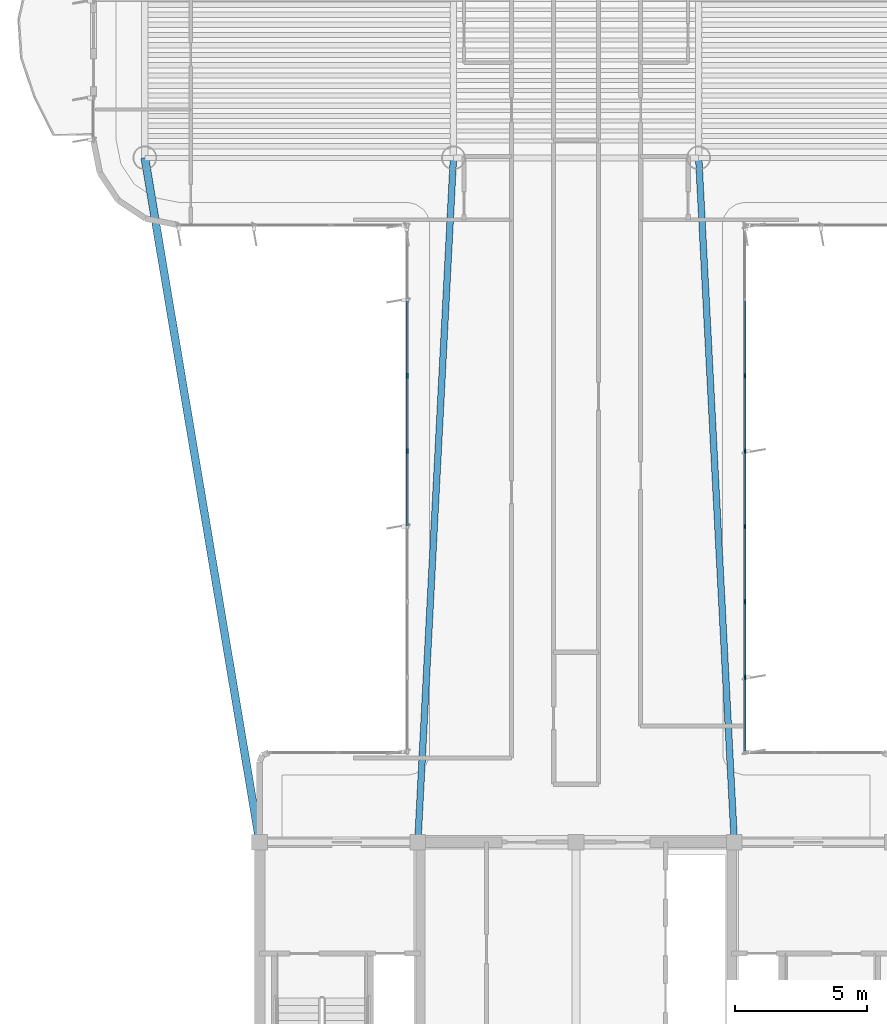
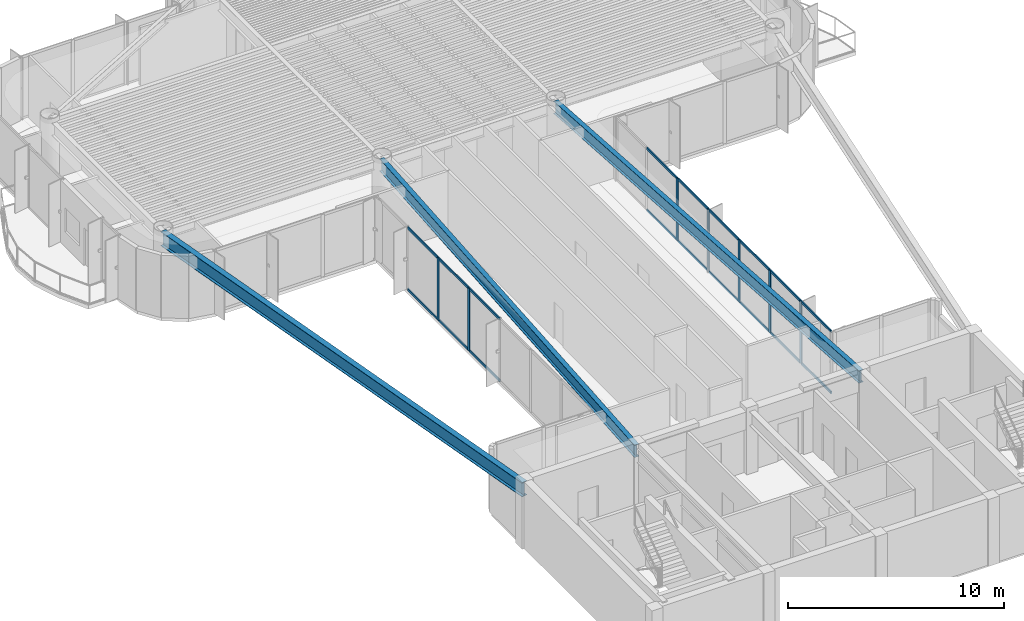
# One storey, part 3 of 16: 25 members, 3 beams, 2 elements without a shape of their own.
"""IFC4 building model written with IfcOpenShell, lengths in metres."""

from ifc_helpers import new_model, si_unit, direction, frame, origin, origin_2d, place, context, subcontext, project, spatial, rectangle, i_section, extrude, source, transform, mapped, material, layer, layer_set, material_profile, profile_set, type_object, element, aggregate, save


model = new_model("IFC4")

# Units and contexts
model_context = context("Model", 3, precision=1e-05, world=origin(), true_north=direction((0.0, 1.0)))
body_context = subcontext(model_context, "Body", "Model", "MODEL_VIEW")
ifc_project = project(units=[si_unit("LENGTHUNIT", "METRE"), si_unit("AREAUNIT", "SQUARE_METRE"), si_unit("VOLUMEUNIT", "CUBIC_METRE"), si_unit("PLANEANGLEUNIT", "RADIAN"), si_unit("MASSUNIT", "GRAM", prefix="KILO")], contexts=[model_context])

# Site, building, storey
site_placement = place(None, origin())
site = spatial("IfcSite", under=ifc_project, at=site_placement, CompositionType="ELEMENT")
building_placement = place(site_placement, origin())
building = spatial("IfcBuilding", under=site, at=building_placement, Name="Brelvock Crest Care Tower", CompositionType="ELEMENT")
storey_placement = place(building_placement, frame((0.0, 0.0, 230.580078125)))
storey = spatial("IfcBuildingStorey", under=building, at=storey_placement, Name="L58", CompositionType="ELEMENT", Elevation=230.580078125)

# Beams
ifc_material_1 = material(Name="Steel Grade 350", Category="steel")
ifc_material_profile_1 = material_profile(ifc_material_1, i_section(OverallWidth=0.25, OverallDepth=0.699951171875, WebThickness=0.011962890625, FlangeThickness=0.02001953125, at=origin_2d()), Name="700WB150")
ifc_profile_set_1 = profile_set([ifc_material_profile_1], Name="Steel Grade 350")
beam_type_1 = type_object("IfcBeamType", Name="BM-G4", PredefinedType="BEAM", material=ifc_profile_set_1)
shared_shape_1 = source(origin(), body_context, "Body", "SweptSolid", [
    extrude(i_section(OverallWidth=0.25, OverallDepth=0.699951171875, WebThickness=0.011962890625, FlangeThickness=0.02001953125, at=origin_2d()), origin(), (0.0, 0.0, 1.0), 25.985107421875),
])
for number, where, z_axis, x_axis, name in (
    (1, (30.0, 18.0, 3.179931640625), (0.051956711656, 0.998649337913, 0.0), (-0.998649337913, 0.051956711656, 0.0), "BM-THRW-L58"),
    (2, (42.0, 18.0, 3.179931640625), (-0.051956711656, 0.998649337913, 0.0), (-0.998649337913, -0.051956711656, 0.0), "BM-THRE-L58"),
):
    element("IfcBeam", number, at=place(storey_placement, frame(where, z_axis=z_axis, x_axis=x_axis)), inside=storey, type_object=beam_type_1, Name=name, PredefinedType="BEAM", context=body_context, shape_type="MappedRepresentation", body=[
        mapped(shared_shape_1, transform((0.0, 0.0, 0.0), x_axis=(1.0, 0.0, 0.0), y_axis=(0.0, 1.0, 0.0), z_axis=(0.0, 0.0, 1.0), scale=1.0)),
    ])
ifc_material_profile_2 = material_profile(ifc_material_1, i_section(OverallWidth=0.300048828125, OverallDepth=0.800048828125, WebThickness=0.013916015625, FlangeThickness=0.02197265625, at=origin_2d()), Name="800WB192")
ifc_profile_set_2 = profile_set([ifc_material_profile_2], Name="Steel Grade 350")
beam_type_2 = type_object("IfcBeamType", Name="BM-G5", PredefinedType="BEAM", material=ifc_profile_set_2)
shared_shape_2 = source(origin(), body_context, "Body", "SweptSolid", [
    extrude(i_section(OverallWidth=0.300048828125, OverallDepth=0.800048828125, WebThickness=0.013916015625, FlangeThickness=0.02197265625, at=origin_2d()), origin(), (0.0, 0.0, 1.0), 26.31201171875),
])
beam_placement = place(storey_placement, frame((24.0, 18.0, 3.1298828125), z_axis=(-0.165327282709, 0.986238758918, 0.0), x_axis=(-0.986238758918, -0.165327282709, 0.0)))
element("IfcBeam", 3, at=beam_placement, inside=storey, type_object=beam_type_2, Name="BM-THRO-W-L58", PredefinedType="BEAM", context=body_context, shape_type="MappedRepresentation", body=[
    mapped(shared_shape_2, transform((0.0, 0.0, 0.0), x_axis=(1.0, 0.0, 0.0), y_axis=(0.0, 1.0, 0.0), z_axis=(0.0, 0.0, 1.0), scale=1.0)),
])

# Curtain wall, members
ifc_material_2 = material(Name="Dark Glass Double Glazed Low-E", Category="glass")
ifc_layer = layer(ifc_material_2, 0.239990234375, Name="CWS-5")
ifc_layer_set = layer_set([ifc_layer], Name="Dark Glass Double Glazed Low-E")
curtain_wall_type = type_object("IfcCurtainWallType", Name="CWS-5", PredefinedType="NOTDEFINED", material=ifc_layer_set)
curtain_wall_1_placement = place(storey_placement, origin())
curtain_wall_1 = element("IfcCurtainWall", 4, at=curtain_wall_1_placement, inside=storey, type_object=curtain_wall_type, Name="L58 Curtain Wall E11", PredefinedType="NOTDEFINED")
ifc_material_3 = material(Name="Aluminium 6063-T6", Category="aluminium")
ifc_material_profile_3 = material_profile(ifc_material_3, rectangle(XDim=0.06005859375, YDim=0.179931640625, at=origin_2d()), Name="ALU60x180")
ifc_profile_set_3 = profile_set([ifc_material_profile_3], Name="Aluminium 6063-T6")
member_type_1 = type_object("IfcMemberType", Name="CWM-2", PredefinedType="MULLION", material=ifc_profile_set_3)
shared_shape_3 = source(origin(), body_context, "Body", "SweptSolid", [
    extrude(rectangle(XDim=0.06005859375, YDim=0.179931640625, at=origin_2d()), origin(), (0.0, 0.0, 1.0), 3.530029296875),
])
member_1_placement = place(storey_placement, frame((29.60009765625, 32.82861328125, 0.0), z_axis=(0.0, 0.0, 1.0), x_axis=(-1.0, 0.0, 0.0)))
member_1 = element("IfcMember", 5, at=member_1_placement, type_object=member_type_1, Name="CW-5 mullion 5", PredefinedType="MULLION", context=body_context, shape_type="MappedRepresentation", body=[
    mapped(shared_shape_3, transform((0.0, 0.0, 0.0), x_axis=(1.0, 0.0, 0.0), y_axis=(0.0, 1.0, 0.0), z_axis=(0.0, 0.0, 1.0), scale=1.0)),
])
member_2_placement = place(storey_placement, frame((29.60009765625, 35.685791015625, 0.0), z_axis=(0.0, 0.0, 1.0), x_axis=(-1.0, 0.0, 0.0)))
member_2 = element("IfcMember", 6, at=member_2_placement, type_object=member_type_1, Name="CW-5 mullion 6", PredefinedType="MULLION", context=body_context, shape_type="MappedRepresentation", body=[
    mapped(shared_shape_3, transform((0.0, 0.0, 0.0), x_axis=(1.0, 0.0, 0.0), y_axis=(0.0, 1.0, 0.0), z_axis=(0.0, 0.0, 1.0), scale=1.0)),
])

curtain_wall_2_placement = place(storey_placement, origin())
curtain_wall_2 = element("IfcCurtainWall", 7, at=curtain_wall_2_placement, inside=storey, type_object=curtain_wall_type, Name="L58 Curtain Wall E45", PredefinedType="NOTDEFINED")
member_3_placement = place(storey_placement, frame((42.39990234375, 35.685791015625, 0.0), z_axis=(0.0, 0.0, 1.0), x_axis=(1.0, 0.0, 0.0)))
member_3 = element("IfcMember", 8, at=member_3_placement, type_object=member_type_1, Name="CW-5 mullion 3", PredefinedType="MULLION", context=body_context, shape_type="MappedRepresentation", body=[
    mapped(shared_shape_3, transform((0.0, 0.0, 0.0), x_axis=(1.0, 0.0, 0.0), y_axis=(0.0, 1.0, 0.0), z_axis=(0.0, 0.0, 1.0), scale=1.0)),
])
member_4_placement = place(storey_placement, frame((42.39990234375, 32.82861328125, 0.0), z_axis=(0.0, 0.0, 1.0), x_axis=(1.0, 0.0, 0.0)))
member_4 = element("IfcMember", 9, at=member_4_placement, type_object=member_type_1, Name="CW-5 mullion 4", PredefinedType="MULLION", context=body_context, shape_type="MappedRepresentation", body=[
    mapped(shared_shape_3, transform((0.0, 0.0, 0.0), x_axis=(1.0, 0.0, 0.0), y_axis=(0.0, 1.0, 0.0), z_axis=(0.0, 0.0, 1.0), scale=1.0)),
])
member_5_placement = place(storey_placement, frame((42.39990234375, 29.971435546875, 0.0), z_axis=(0.0, 0.0, 1.0), x_axis=(1.0, 0.0, 0.0)))
member_5 = element("IfcMember", 10, at=member_5_placement, type_object=member_type_1, Name="CW-5 mullion 5", PredefinedType="MULLION", context=body_context, shape_type="MappedRepresentation", body=[
    mapped(shared_shape_3, transform((0.0, 0.0, 0.0), x_axis=(1.0, 0.0, 0.0), y_axis=(0.0, 1.0, 0.0), z_axis=(0.0, 0.0, 1.0), scale=1.0)),
])
member_6_placement = place(storey_placement, frame((42.39990234375, 27.1142578125, 0.0), z_axis=(0.0, 0.0, 1.0), x_axis=(1.0, 0.0, 0.0)))
member_6 = element("IfcMember", 11, at=member_6_placement, type_object=member_type_1, Name="CW-5 mullion 6", PredefinedType="MULLION", context=body_context, shape_type="MappedRepresentation", body=[
    mapped(shared_shape_3, transform((0.0, 0.0, 0.0), x_axis=(1.0, 0.0, 0.0), y_axis=(0.0, 1.0, 0.0), z_axis=(0.0, 0.0, 1.0), scale=1.0)),
])
member_7_placement = place(storey_placement, frame((42.39990234375, 24.257080078125, 0.0), z_axis=(0.0, 0.0, 1.0), x_axis=(1.0, 0.0, 0.0)))
member_7 = element("IfcMember", 12, at=member_7_placement, type_object=member_type_1, Name="CW-5 mullion 7", PredefinedType="MULLION", context=body_context, shape_type="MappedRepresentation", body=[
    mapped(shared_shape_3, transform((0.0, 0.0, 0.0), x_axis=(1.0, 0.0, 0.0), y_axis=(0.0, 1.0, 0.0), z_axis=(0.0, 0.0, 1.0), scale=1.0)),
])
ifc_material_profile_4 = material_profile(ifc_material_3, rectangle(XDim=0.06005859375, YDim=0.139892578125, at=origin_2d()), Name="ALU60x140")
ifc_profile_set_4 = profile_set([ifc_material_profile_4], Name="Aluminium 6063-T6")
member_type_2 = type_object("IfcMemberType", Name="CWT-2", PredefinedType="USERDEFINED", material=ifc_profile_set_4)
shared_shape_4 = source(origin(), body_context, "Body", "SweptSolid", [
    extrude(rectangle(XDim=0.06005859375, YDim=0.139892578125, at=origin_2d()), origin(), (0.0, 0.0, 1.0), 2.76708984375),
])
member_8_placement = place(storey_placement, frame((42.39990234375, 24.22705078125, 0.030029296875), z_axis=(0.0, -1.0, 0.0), x_axis=(1.0, 0.0, 0.0)))
member_8 = element("IfcMember", 13, at=member_8_placement, type_object=member_type_2, Name="CW-5 transom 7.1", ObjectType="TRANSOM", PredefinedType="USERDEFINED", context=body_context, shape_type="MappedRepresentation", body=[
    mapped(shared_shape_4, transform((0.0, 0.0, 0.0), x_axis=(1.0, 0.0, 0.0), y_axis=(0.0, 1.0, 0.0), z_axis=(0.0, 0.0, 1.0), scale=1.0)),
])
member_9_placement = place(storey_placement, frame((42.39990234375, 24.22705078125, 3.5), z_axis=(0.0, -1.0, 0.0), x_axis=(1.0, 0.0, 0.0)))
member_9 = element("IfcMember", 14, at=member_9_placement, type_object=member_type_2, Name="CW-5 transom 7.2", ObjectType="TRANSOM", PredefinedType="USERDEFINED", context=body_context, shape_type="MappedRepresentation", body=[
    mapped(shared_shape_4, transform((0.0, 0.0, 0.0), x_axis=(1.0, 0.0, 0.0), y_axis=(0.0, 1.0, 0.0), z_axis=(0.0, 0.0, 1.0), scale=1.0)),
])

# Member
shared_shape_5 = source(origin(), body_context, "Body", "SweptSolid", [
    extrude(rectangle(XDim=0.06005859375, YDim=0.139892578125, at=origin_2d()), origin(), (0.0, 0.0, 1.0), 2.797119140625),
])
member_10_placement = place(storey_placement, frame((29.60009765625, 30.00146484375, 0.030029296875), z_axis=(0.0, 1.0, 0.0), x_axis=(-1.0, 0.0, 0.0)))
member_10 = element("IfcMember", 15, at=member_10_placement, type_object=member_type_2, Name="CW-5 transom 4.1", ObjectType="TRANSOM", PredefinedType="USERDEFINED", context=body_context, shape_type="MappedRepresentation", body=[
    mapped(shared_shape_5, transform((0.0, 0.0, 0.0), x_axis=(1.0, 0.0, 0.0), y_axis=(0.0, 1.0, 0.0), z_axis=(0.0, 0.0, 1.0), scale=1.0)),
])

member_11_placement = place(storey_placement, frame((29.60009765625, 30.00146484375, 3.5), z_axis=(0.0, 1.0, 0.0), x_axis=(-1.0, 0.0, 0.0)))
member_11 = element("IfcMember", 16, at=member_11_placement, type_object=member_type_2, Name="CW-5 transom 4.2", ObjectType="TRANSOM", PredefinedType="USERDEFINED", context=body_context, shape_type="MappedRepresentation", body=[
    mapped(shared_shape_5, transform((0.0, 0.0, 0.0), x_axis=(1.0, 0.0, 0.0), y_axis=(0.0, 1.0, 0.0), z_axis=(0.0, 0.0, 1.0), scale=1.0)),
])

member_12_placement = place(storey_placement, frame((29.60009765625, 32.858642578125, 0.030029296875), z_axis=(0.0, 1.0, 0.0), x_axis=(-1.0, 0.0, 0.0)))
member_12 = element("IfcMember", 17, at=member_12_placement, type_object=member_type_2, Name="CW-5 transom 5.1", ObjectType="TRANSOM", PredefinedType="USERDEFINED", context=body_context, shape_type="MappedRepresentation", body=[
    mapped(shared_shape_5, transform((0.0, 0.0, 0.0), x_axis=(1.0, 0.0, 0.0), y_axis=(0.0, 1.0, 0.0), z_axis=(0.0, 0.0, 1.0), scale=1.0)),
])

member_13_placement = place(storey_placement, frame((29.60009765625, 32.858642578125, 3.5), z_axis=(0.0, 1.0, 0.0), x_axis=(-1.0, 0.0, 0.0)))
member_13 = element("IfcMember", 18, at=member_13_placement, type_object=member_type_2, Name="CW-5 transom 5.2", ObjectType="TRANSOM", PredefinedType="USERDEFINED", context=body_context, shape_type="MappedRepresentation", body=[
    mapped(shared_shape_5, transform((0.0, 0.0, 0.0), x_axis=(1.0, 0.0, 0.0), y_axis=(0.0, 1.0, 0.0), z_axis=(0.0, 0.0, 1.0), scale=1.0)),
])

member_14_placement = place(storey_placement, frame((29.60009765625, 35.7158203125, 0.030029296875), z_axis=(0.0, 1.0, 0.0), x_axis=(-1.0, 0.0, 0.0)))
member_14 = element("IfcMember", 19, at=member_14_placement, type_object=member_type_2, Name="CW-5 transom 6.1", ObjectType="TRANSOM", PredefinedType="USERDEFINED", context=body_context, shape_type="MappedRepresentation", body=[
    mapped(shared_shape_5, transform((0.0, 0.0, 0.0), x_axis=(1.0, 0.0, 0.0), y_axis=(0.0, 1.0, 0.0), z_axis=(0.0, 0.0, 1.0), scale=1.0)),
])

member_15_placement = place(storey_placement, frame((29.60009765625, 35.7158203125, 3.5), z_axis=(0.0, 1.0, 0.0), x_axis=(-1.0, 0.0, 0.0)))
member_15 = element("IfcMember", 20, at=member_15_placement, type_object=member_type_2, Name="CW-5 transom 6.2", ObjectType="TRANSOM", PredefinedType="USERDEFINED", context=body_context, shape_type="MappedRepresentation", body=[
    mapped(shared_shape_5, transform((0.0, 0.0, 0.0), x_axis=(1.0, 0.0, 0.0), y_axis=(0.0, 1.0, 0.0), z_axis=(0.0, 0.0, 1.0), scale=1.0)),
])

aggregate(curtain_wall_1, [member_1, member_2, member_10, member_11, member_12, member_13, member_14, member_15])

member_16_placement = place(storey_placement, frame((42.39990234375, 38.512939453125, 0.030029296875), z_axis=(0.0, -1.0, 0.0), x_axis=(1.0, 0.0, 0.0)))
member_16 = element("IfcMember", 21, at=member_16_placement, type_object=member_type_2, Name="CW-5 transom 2.1", ObjectType="TRANSOM", PredefinedType="USERDEFINED", context=body_context, shape_type="MappedRepresentation", body=[
    mapped(shared_shape_5, transform((0.0, 0.0, 0.0), x_axis=(1.0, 0.0, 0.0), y_axis=(0.0, 1.0, 0.0), z_axis=(0.0, 0.0, 1.0), scale=1.0)),
])

member_17_placement = place(storey_placement, frame((42.39990234375, 38.512939453125, 3.5), z_axis=(0.0, -1.0, 0.0), x_axis=(1.0, 0.0, 0.0)))
member_17 = element("IfcMember", 22, at=member_17_placement, type_object=member_type_2, Name="CW-5 transom 2.2", ObjectType="TRANSOM", PredefinedType="USERDEFINED", context=body_context, shape_type="MappedRepresentation", body=[
    mapped(shared_shape_5, transform((0.0, 0.0, 0.0), x_axis=(1.0, 0.0, 0.0), y_axis=(0.0, 1.0, 0.0), z_axis=(0.0, 0.0, 1.0), scale=1.0)),
])

member_18_placement = place(storey_placement, frame((42.39990234375, 35.65576171875, 0.030029296875), z_axis=(0.0, -1.0, 0.0), x_axis=(1.0, 0.0, 0.0)))
member_18 = element("IfcMember", 23, at=member_18_placement, type_object=member_type_2, Name="CW-5 transom 3.1", ObjectType="TRANSOM", PredefinedType="USERDEFINED", context=body_context, shape_type="MappedRepresentation", body=[
    mapped(shared_shape_5, transform((0.0, 0.0, 0.0), x_axis=(1.0, 0.0, 0.0), y_axis=(0.0, 1.0, 0.0), z_axis=(0.0, 0.0, 1.0), scale=1.0)),
])

member_19_placement = place(storey_placement, frame((42.39990234375, 35.65576171875, 3.5), z_axis=(0.0, -1.0, 0.0), x_axis=(1.0, 0.0, 0.0)))
member_19 = element("IfcMember", 24, at=member_19_placement, type_object=member_type_2, Name="CW-5 transom 3.2", ObjectType="TRANSOM", PredefinedType="USERDEFINED", context=body_context, shape_type="MappedRepresentation", body=[
    mapped(shared_shape_5, transform((0.0, 0.0, 0.0), x_axis=(1.0, 0.0, 0.0), y_axis=(0.0, 1.0, 0.0), z_axis=(0.0, 0.0, 1.0), scale=1.0)),
])

member_20_placement = place(storey_placement, frame((42.39990234375, 32.798583984375, 0.030029296875), z_axis=(0.0, -1.0, 0.0), x_axis=(1.0, 0.0, 0.0)))
member_20 = element("IfcMember", 25, at=member_20_placement, type_object=member_type_2, Name="CW-5 transom 4.1", ObjectType="TRANSOM", PredefinedType="USERDEFINED", context=body_context, shape_type="MappedRepresentation", body=[
    mapped(shared_shape_5, transform((0.0, 0.0, 0.0), x_axis=(1.0, 0.0, 0.0), y_axis=(0.0, 1.0, 0.0), z_axis=(0.0, 0.0, 1.0), scale=1.0)),
])

member_21_placement = place(storey_placement, frame((42.39990234375, 32.798583984375, 3.5), z_axis=(0.0, -1.0, 0.0), x_axis=(1.0, 0.0, 0.0)))
member_21 = element("IfcMember", 26, at=member_21_placement, type_object=member_type_2, Name="CW-5 transom 4.2", ObjectType="TRANSOM", PredefinedType="USERDEFINED", context=body_context, shape_type="MappedRepresentation", body=[
    mapped(shared_shape_5, transform((0.0, 0.0, 0.0), x_axis=(1.0, 0.0, 0.0), y_axis=(0.0, 1.0, 0.0), z_axis=(0.0, 0.0, 1.0), scale=1.0)),
])

member_22_placement = place(storey_placement, frame((42.39990234375, 29.94140625, 0.030029296875), z_axis=(0.0, -1.0, 0.0), x_axis=(1.0, 0.0, 0.0)))
member_22 = element("IfcMember", 27, at=member_22_placement, type_object=member_type_2, Name="CW-5 transom 5.1", ObjectType="TRANSOM", PredefinedType="USERDEFINED", context=body_context, shape_type="MappedRepresentation", body=[
    mapped(shared_shape_5, transform((0.0, 0.0, 0.0), x_axis=(1.0, 0.0, 0.0), y_axis=(0.0, 1.0, 0.0), z_axis=(0.0, 0.0, 1.0), scale=1.0)),
])

member_23_placement = place(storey_placement, frame((42.39990234375, 29.94140625, 3.5), z_axis=(0.0, -1.0, 0.0), x_axis=(1.0, 0.0, 0.0)))
member_23 = element("IfcMember", 28, at=member_23_placement, type_object=member_type_2, Name="CW-5 transom 5.2", ObjectType="TRANSOM", PredefinedType="USERDEFINED", context=body_context, shape_type="MappedRepresentation", body=[
    mapped(shared_shape_5, transform((0.0, 0.0, 0.0), x_axis=(1.0, 0.0, 0.0), y_axis=(0.0, 1.0, 0.0), z_axis=(0.0, 0.0, 1.0), scale=1.0)),
])

member_24_placement = place(storey_placement, frame((42.39990234375, 27.084228515625, 0.030029296875), z_axis=(0.0, -1.0, 0.0), x_axis=(1.0, 0.0, 0.0)))
member_24 = element("IfcMember", 29, at=member_24_placement, type_object=member_type_2, Name="CW-5 transom 6.1", ObjectType="TRANSOM", PredefinedType="USERDEFINED", context=body_context, shape_type="MappedRepresentation", body=[
    mapped(shared_shape_5, transform((0.0, 0.0, 0.0), x_axis=(1.0, 0.0, 0.0), y_axis=(0.0, 1.0, 0.0), z_axis=(0.0, 0.0, 1.0), scale=1.0)),
])

member_25_placement = place(storey_placement, frame((42.39990234375, 27.084228515625, 3.5), z_axis=(0.0, -1.0, 0.0), x_axis=(1.0, 0.0, 0.0)))
member_25 = element("IfcMember", 30, at=member_25_placement, type_object=member_type_2, Name="CW-5 transom 6.2", ObjectType="TRANSOM", PredefinedType="USERDEFINED", context=body_context, shape_type="MappedRepresentation", body=[
    mapped(shared_shape_5, transform((0.0, 0.0, 0.0), x_axis=(1.0, 0.0, 0.0), y_axis=(0.0, 1.0, 0.0), z_axis=(0.0, 0.0, 1.0), scale=1.0)),
])

aggregate(curtain_wall_2, [member_3, member_4, member_5, member_6, member_7, member_16, member_17, member_18, member_19, member_20, member_21, member_22, member_23, member_24, member_25, member_8, member_9])

save(model, "model.ifc")
